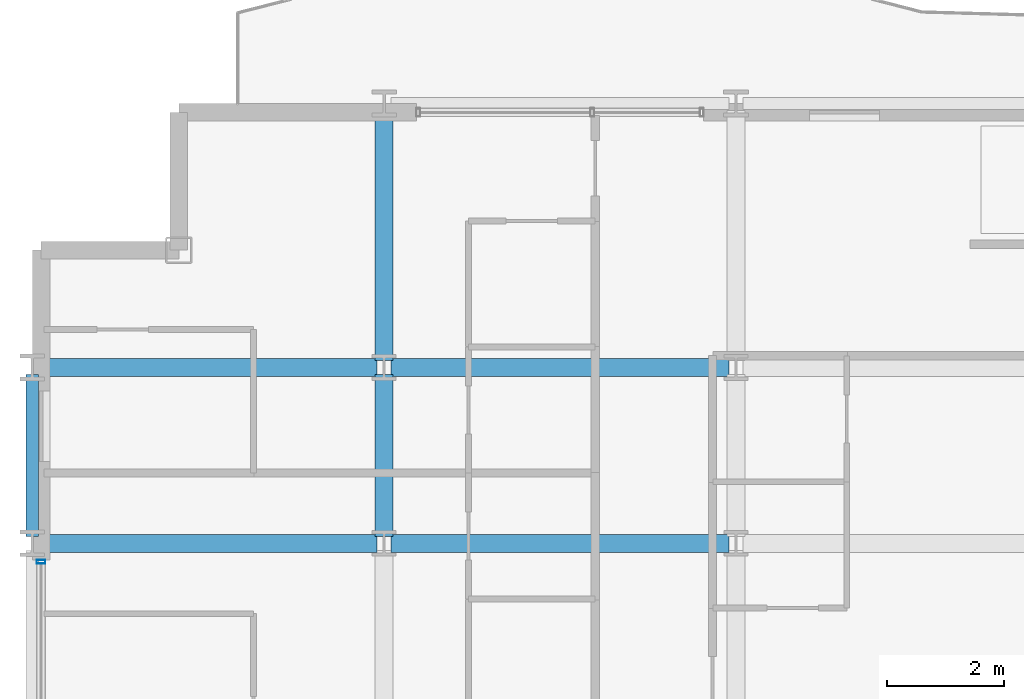
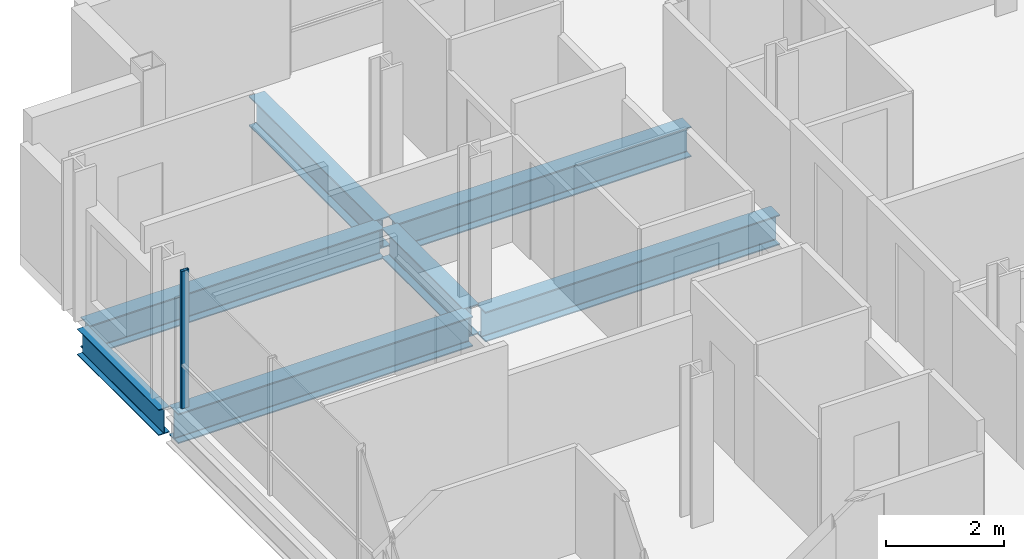
# One storey, part 7 of 41: 7 beams, 1 member, 1 element without a shape of its own.
"""IFC4 building model written with IfcOpenShell, lengths in metres."""

from ifc_helpers import new_model, si_unit, direction, frame, origin, origin_2d, place, context, subcontext, project, spatial, hollow_rectangle, i_section, extrude, material, layer, layer_set, material_profile, profile_set, type_object, element, aggregate, save


model = new_model("IFC4")

# Units and contexts
model_context = context("Model", 3, precision=1e-05, world=origin(), true_north=direction((0.0, 1.0)))
body_context = subcontext(model_context, "Body", "Model", "MODEL_VIEW")
ifc_project = project(units=[si_unit("LENGTHUNIT", "METRE"), si_unit("AREAUNIT", "SQUARE_METRE"), si_unit("VOLUMEUNIT", "CUBIC_METRE"), si_unit("PLANEANGLEUNIT", "RADIAN"), si_unit("MASSUNIT", "GRAM", prefix="KILO")], contexts=[model_context])

# Site, building, storey
site_placement = place(None, origin())
site = spatial("IfcSite", under=ifc_project, at=site_placement, CompositionType="ELEMENT")
building_placement = place(site_placement, origin())
building = spatial("IfcBuilding", under=site, at=building_placement, Name="Brevholm Reach", CompositionType="ELEMENT")
storey_placement = place(building_placement, frame((0.0, 0.0, 93.10009765625)))
storey = spatial("IfcBuildingStorey", under=building, at=storey_placement, Name="L27", CompositionType="ELEMENT", Elevation=93.10009765625)

# Beams
ifc_material_1 = material(Name="Structural Steel S355J2", Category="steel")
ifc_material_profile_1 = material_profile(ifc_material_1, i_section(OverallWidth=0.210693359375, OverallDepth=0.53955078125, WebThickness=0.01171875, FlangeThickness=0.018798828125, FilletRadius=0.0126953125, at=origin_2d()), Name="UKB 533x210x109")
ifc_profile_set_1 = profile_set([ifc_material_profile_1], Name="Structural Steel S355J2")
beam_type_1 = type_object("IfcBeamType", Name="BM-SP539", PredefinedType="SPANDREL", material=ifc_profile_set_1)
beam_1_placement = place(storey_placement, frame((0.0, 23.6201171875, -0.499755859375), z_axis=(0.0, 1.0, 0.0), x_axis=(-1.0, 0.0, 0.0)))
element("IfcBeam", 1, at=beam_1_placement, inside=storey, type_object=beam_type_1, Name="L27 SP-01B Framing Beam", PredefinedType="SPANDREL", context=body_context, shape_type="SweptSolid", body=[
    extrude(i_section(OverallWidth=0.210693359375, OverallDepth=0.53955078125, WebThickness=0.01171875, FlangeThickness=0.018798828125, FilletRadius=0.0126953125, at=origin_2d()), origin(), (0.0, 0.0, 1.0), 2.759765625),
])
ifc_material_2 = material(Name="Structural Steel S355J2", Category="steel")
ifc_material_profile_2 = material_profile(ifc_material_2, i_section(OverallWidth=0.30712890625, OverallDepth=0.6201171875, WebThickness=0.01416015625, FlangeThickness=0.023681640625, FilletRadius=0.0166015625, at=origin_2d()), Name="UKB 610x305x179")
ifc_profile_set_2 = profile_set([ifc_material_profile_2], Name="Structural Steel S355J2")
beam_type_2 = type_object("IfcBeamType", Name="BM-UKB610H", PredefinedType="USERDEFINED", material=ifc_profile_set_2)
for number, where, z_axis, x_axis, name in (
    (2, (0.1201171875, 23.5, -0.540283203125), (1.0, 0.0, 0.0), (0.0, 1.0, 0.0), "L27 G-06 Framing Beam"),
    (3, (6.1201171875, 23.5, -0.540283203125), (1.0, 0.0, 0.0), (0.0, 1.0, 0.0), "L27 G-06 Framing Beam"),
    (4, (0.1201171875, 26.5, -0.540283203125), (1.0, 0.0, 0.0), (0.0, 1.0, 0.0), "L27 G-06 Framing Beam"),
    (5, (6.1201171875, 26.5, -0.540283203125), (1.0, 0.0, 0.0), (0.0, 1.0, 0.0), "L27 G-06 Framing Beam"),
):
    element("IfcBeam", number, at=place(storey_placement, frame(where, z_axis=z_axis, x_axis=x_axis)), inside=storey, type_object=beam_type_2, Name=name, ObjectType="GIRDER", PredefinedType="USERDEFINED", context=body_context, shape_type="SweptSolid", body=[
        extrude(i_section(OverallWidth=0.30712890625, OverallDepth=0.6201171875, WebThickness=0.01416015625, FlangeThickness=0.023681640625, FilletRadius=0.0166015625, at=origin_2d()), origin(), (0.0, 0.0, 1.0), 5.759765625),
    ])
beam_2_placement = place(storey_placement, frame((6.0, 23.6201171875, -0.540283203125), z_axis=(0.0, 1.0, 0.0), x_axis=(-1.0, 0.0, 0.0)))
element("IfcBeam", 6, at=beam_2_placement, inside=storey, type_object=beam_type_2, Name="L27 G-06 Framing Beam", ObjectType="GIRDER", PredefinedType="USERDEFINED", context=body_context, shape_type="SweptSolid", body=[
    extrude(i_section(OverallWidth=0.30712890625, OverallDepth=0.6201171875, WebThickness=0.01416015625, FlangeThickness=0.023681640625, FilletRadius=0.0166015625, at=origin_2d()), origin(), (0.0, 0.0, 1.0), 2.759765625),
])
beam_3_placement = place(storey_placement, frame((6.0, 26.6201171875, -0.540283203125), z_axis=(0.0, 1.0, 0.0), x_axis=(-1.0, 0.0, 0.0)))
element("IfcBeam", 7, at=beam_3_placement, inside=storey, type_object=beam_type_2, Name="L27 G-06 Framing Beam", ObjectType="GIRDER", PredefinedType="USERDEFINED", context=body_context, shape_type="SweptSolid", body=[
    extrude(i_section(OverallWidth=0.30712890625, OverallDepth=0.6201171875, WebThickness=0.01416015625, FlangeThickness=0.023681640625, FilletRadius=0.0166015625, at=origin_2d()), origin(), (0.0, 0.0, 1.0), 4.259765625),
])

# Curtain wall, member
ifc_material_3 = material(Name="Dark Anodised Aluminium 6063-T6 and Solar-Control Glass", Category="aluminium")
ifc_layer = layer(ifc_material_3, 0.14990234375)
ifc_layer_set = layer_set([ifc_layer], Name="Dark Anodised Aluminium 6063-T6 and Solar-Control Glass")
curtain_wall_type = type_object("IfcCurtainWallType", Name="CW-01", PredefinedType="NOTDEFINED", material=ifc_layer_set)
curtain_wall_placement = place(storey_placement, origin())
curtain_wall = element("IfcCurtainWall", 8, at=curtain_wall_placement, inside=storey, type_object=curtain_wall_type, Name="L27 Curtain Wall CW-01", PredefinedType="NOTDEFINED")
ifc_material_4 = material(Name="Dark Anodised Aluminium 6063-T6", Category="aluminium")
ifc_material_profile_3 = material_profile(ifc_material_4, hollow_rectangle(XDim=0.06494140625, YDim=0.14990234375, WallThickness=0.0048828125, InnerFilletRadius=0.0048828125, OuterFilletRadius=0.010009765625, at=origin_2d()), Name="RHS 150x65x5")
ifc_profile_set_3 = profile_set([ifc_material_profile_3], Name="Dark Anodised Aluminium 6063-T6")
member_type = type_object("IfcMemberType", Name="CWM-150", PredefinedType="MULLION", material=ifc_profile_set_3)
member_placement = place(storey_placement, frame((0.14990234375, 23.1875, 0.0), z_axis=(0.0, 0.0, 1.0), x_axis=(0.0, -1.0, 0.0)))
member = element("IfcMember", 9, at=member_placement, type_object=member_type, Name="CM-150 Mullion 1", PredefinedType="MULLION", context=body_context, shape_type="SweptSolid", body=[
    extrude(hollow_rectangle(XDim=0.06494140625, YDim=0.14990234375, WallThickness=0.0048828125, InnerFilletRadius=0.0048828125, OuterFilletRadius=0.010009765625, at=origin_2d()), origin(), (0.0, 0.0, 1.0), 2.83984375),
])
aggregate(curtain_wall, [member])

save(model, "model.ifc")
